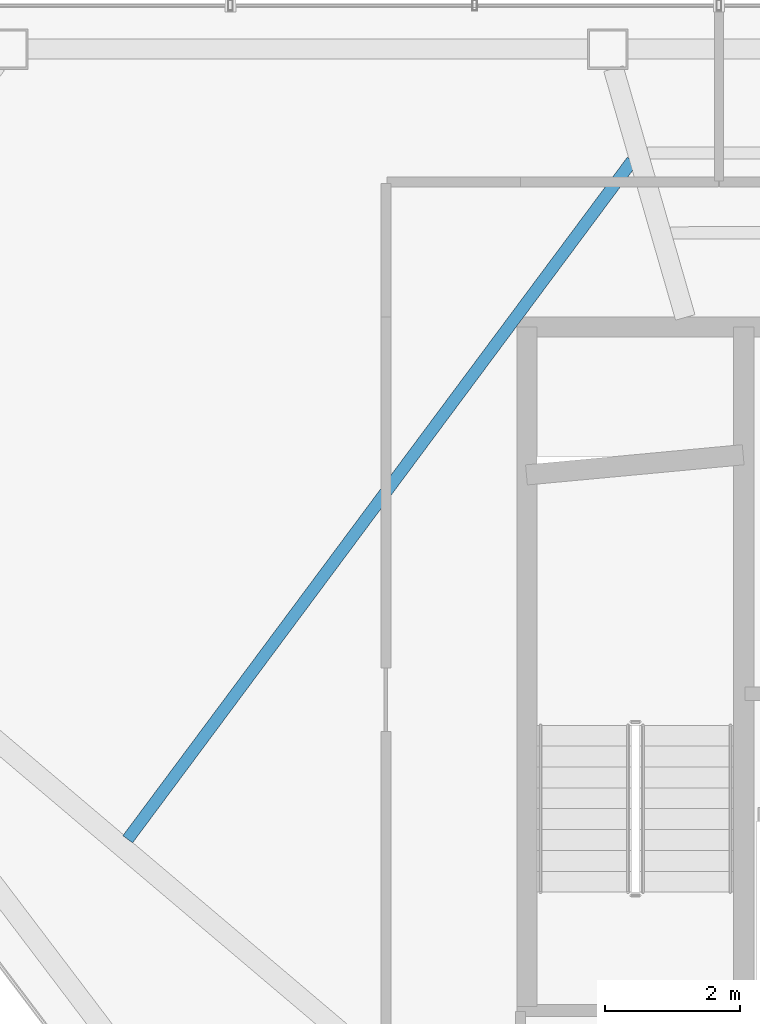
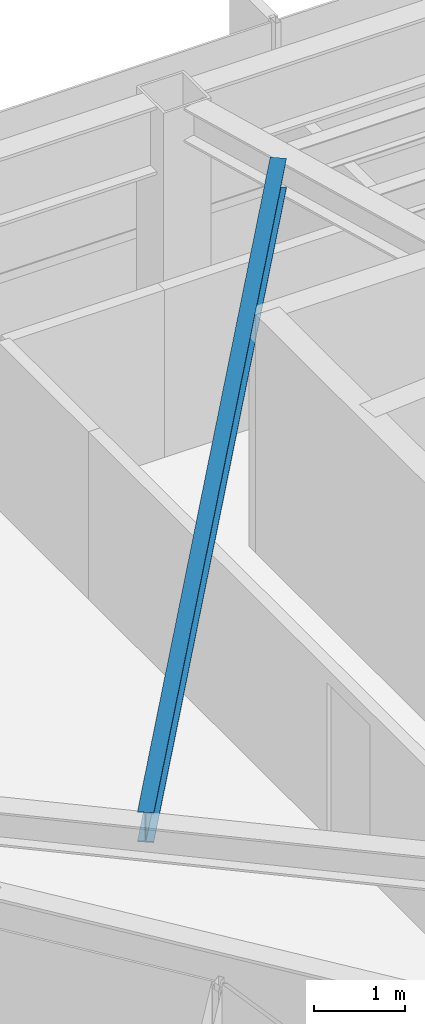
# One storey, part 11 of 27: 1 beam.
"""IFC4 building model written with IfcOpenShell, lengths in metres."""

from ifc_helpers import new_model, si_unit, direction, frame, origin, origin_2d, place, context, subcontext, project, spatial, i_section, extrude, material, material_profile, profile_set, type_object, element, save


model = new_model("IFC4")

# Units and contexts
model_context = context("Model", 3, precision=1e-05, world=origin(), true_north=direction((0.0, 1.0)))
body_context = subcontext(model_context, "Body", "Model", "MODEL_VIEW")
ifc_project = project(units=[si_unit("LENGTHUNIT", "METRE"), si_unit("AREAUNIT", "SQUARE_METRE"), si_unit("VOLUMEUNIT", "CUBIC_METRE"), si_unit("PLANEANGLEUNIT", "RADIAN"), si_unit("MASSUNIT", "GRAM", prefix="KILO")], contexts=[model_context])

# Site, building, storey
site_placement = place(None, origin())
site = spatial("IfcSite", under=ifc_project, at=site_placement, CompositionType="ELEMENT")
building_placement = place(site_placement, origin())
building = spatial("IfcBuilding", under=site, at=building_placement, Name="Zarrinselat Tower", CompositionType="ELEMENT")
storey_placement = place(building_placement, frame((0.0, 0.0, 229.159912109375)))
storey = spatial("IfcBuildingStorey", under=building, at=storey_placement, Name="L57", CompositionType="ELEMENT", Elevation=229.159912109375)

# Beam
ifc_material = material(Name="Steel S355J2", Category="steel")
ifc_material_profile = material_profile(ifc_material, i_section(OverallWidth=0.179931640625, OverallDepth=0.39990234375, WebThickness=0.008544921875, FlangeThickness=0.013427734375, at=origin_2d()), Name="IPE 400")
ifc_profile_set = profile_set([ifc_material_profile], Name="Steel S355J2")
beam_type = type_object("IfcBeamType", Name="BM-IPE400", PredefinedType="JOIST", material=ifc_profile_set)
beam_placement = place(storey_placement, frame((22.714599609375, 35.7861328125, 2.97998046875), z_axis=(0.59672426262, 0.802446356089, 0.0), x_axis=(-0.802446356089, 0.59672426262, 0.0)))
element("IfcBeam", 1, at=beam_placement, inside=storey, type_object=beam_type, Name="L57 Composite Floor Joist 9-1", PredefinedType="JOIST", context=body_context, shape_type="SweptSolid", body=[
    extrude(i_section(OverallWidth=0.179931640625, OverallDepth=0.39990234375, WebThickness=0.008544921875, FlangeThickness=0.013427734375, at=origin_2d()), origin(), (0.0, 0.0, 1.0), 12.564208984375),
])

save(model, "model.ifc")
